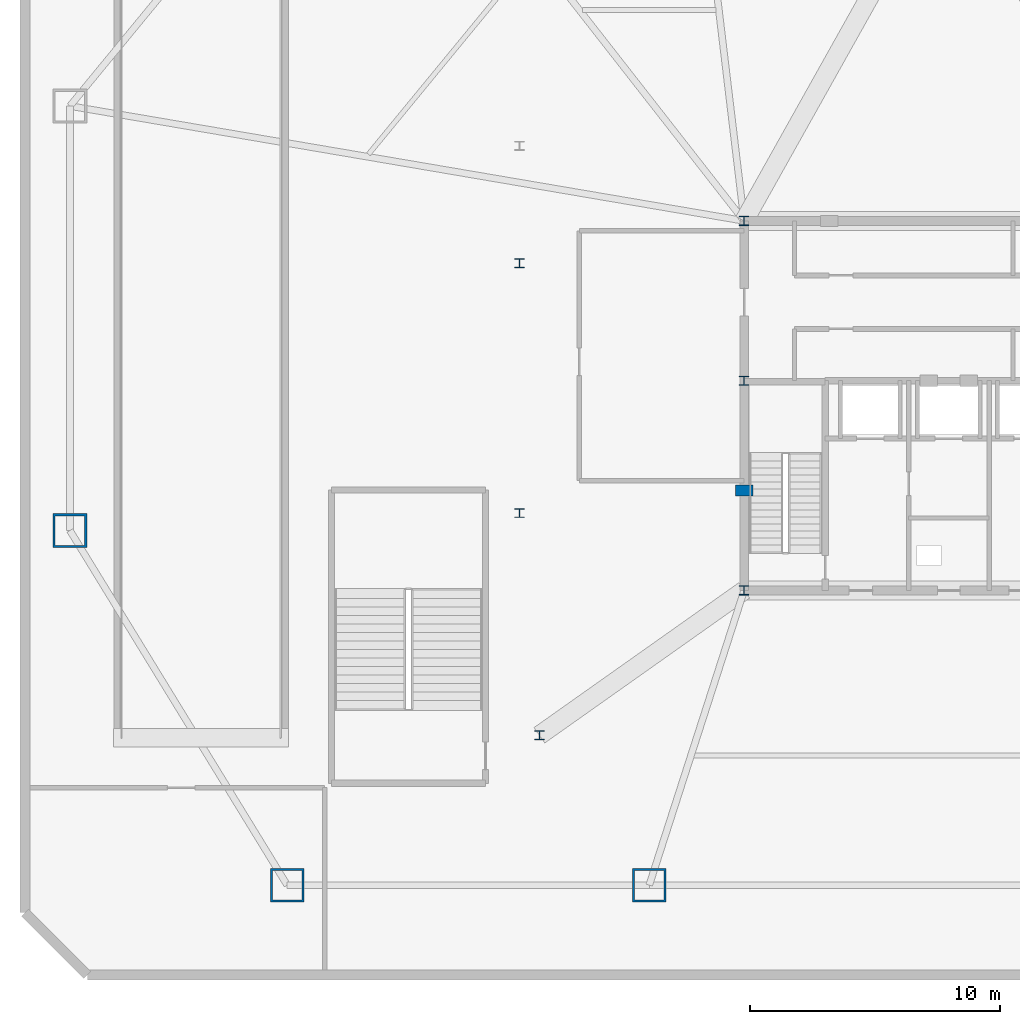
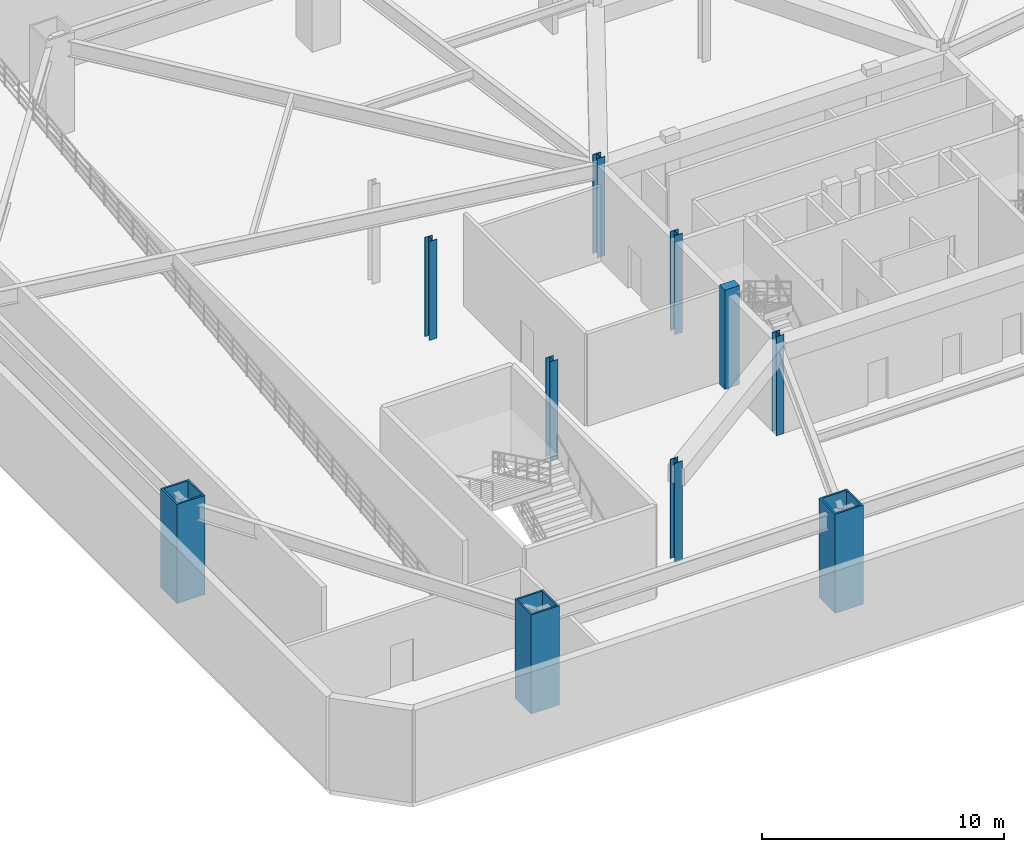
# One storey, part 1 of 9: 10 columns.
"""IFC4 building model written with IfcOpenShell, lengths in metres."""

from ifc_helpers import new_model, si_unit, direction, frame, origin, origin_2d, place, context, subcontext, project, spatial, rectangle, hollow_rectangle, i_section, extrude, material, material_profile, profile_set, type_object, element, save


model = new_model("IFC4")

# Units and contexts
model_context = context("Model", 3, precision=1e-05, world=origin(), true_north=direction((0.0, 1.0)))
body_context = subcontext(model_context, "Body", "Model", "MODEL_VIEW")
ifc_project = project(units=[si_unit("LENGTHUNIT", "METRE"), si_unit("AREAUNIT", "SQUARE_METRE"), si_unit("VOLUMEUNIT", "CUBIC_METRE"), si_unit("PLANEANGLEUNIT", "RADIAN"), si_unit("MASSUNIT", "GRAM", prefix="KILO")], contexts=[model_context])

# Site, building, storey
site_placement = place(None, origin())
site = spatial("IfcSite", under=ifc_project, at=site_placement, CompositionType="ELEMENT")
building_placement = place(site_placement, origin())
building = spatial("IfcBuilding", under=site, at=building_placement, Name="Varakhsha Concourse Tower", CompositionType="ELEMENT")
storey_placement = place(building_placement, frame((0.0, 0.0, -5.0)))
storey = spatial("IfcBuildingStorey", under=building, at=storey_placement, Name="B01", CompositionType="ELEMENT", Elevation=-5.0)

# Columns
ifc_material_1 = material(Name="Structural Steel ASTM A992 Grade 50", Category="steel")
ifc_material_profile_1 = material_profile(ifc_material_1, i_section(OverallWidth=0.3740234375, OverallDepth=0.3720703125, WebThickness=0.01611328125, FlangeThickness=0.02587890625, at=origin_2d()), Name="W14X132")
ifc_profile_set_1 = profile_set([ifc_material_profile_1], Name="Structural Steel ASTM A992 Grade 50")
column_type_1 = type_object("IfcColumnType", Name="CL-CORE-W14X132", PredefinedType="COLUMN", material=ifc_profile_set_1)
for number, where, z_axis, x_axis, name in (
    (1, (31.800048828125, 16.39990234375, 0.0), (0.0, 0.0, 1.0), (1.0, 0.0, 0.0), "B01 Core Column CC-SW"),
    (2, (31.800048828125, 24.800048828125, 0.0), (0.0, 0.0, 1.0), (1.0, 0.0, 0.0), "B01 Core Column CC-MW"),
    (3, (31.800048828125, 31.199951171875, 0.0), (0.0, 0.0, 1.0), (1.0, 0.0, 0.0), "B01 Core Column CC-NW"),
    (4, (23.60009765625, 10.60009765625, 0.0), (0.0, 0.0, 1.0), (1.0, 0.0, 0.0), "B01 Core Column SS-W"),
):
    element("IfcColumn", number, at=place(storey_placement, frame(where, z_axis=z_axis, x_axis=x_axis)), inside=storey, type_object=column_type_1, Name=name, PredefinedType="COLUMN", context=body_context, shape_type="SweptSolid", body=[
        extrude(i_section(OverallWidth=0.3740234375, OverallDepth=0.3720703125, WebThickness=0.01611328125, FlangeThickness=0.02587890625, at=origin_2d()), origin(), (0.0, 0.0, 1.0), 5.0),
    ])
ifc_material_2 = material(Name="Concrete fc 65 MPa", Category="concrete")
ifc_material_profile_2 = material_profile(ifc_material_2, rectangle(XDim=0.699951171875, YDim=0.449951171875, at=origin_2d()), Name="RC 700x450")
ifc_profile_set_2 = profile_set([ifc_material_profile_2], Name="Concrete fc 65 MPa")
column_type_2 = type_object("IfcColumnType", Name="CL-PIL-700X450", PredefinedType="PILASTER", material=ifc_profile_set_2)
column_placement = place(storey_placement, frame((31.800048828125, 20.39990234375, 0.0), z_axis=(0.0, 0.0, 1.0), x_axis=(1.0, 0.0, 0.0)))
element("IfcColumn", 5, at=column_placement, inside=storey, type_object=column_type_2, Name="B01 Core Boundary Pilaster PIL-W1", PredefinedType="PILASTER", context=body_context, shape_type="SweptSolid", body=[
    extrude(rectangle(XDim=0.699951171875, YDim=0.449951171875, at=origin_2d()), origin(), (0.0, 0.0, 1.0), 5.0),
])
ifc_material_profile_3 = material_profile(ifc_material_1, i_section(OverallWidth=0.368896484375, OverallDepth=0.35595703125, WebThickness=0.010986328125, FlangeThickness=0.01806640625, at=origin_2d()), Name="W14X90")
ifc_profile_set_3 = profile_set([ifc_material_profile_3], Name="Structural Steel ASTM A992 Grade 50")
column_type_3 = type_object("IfcColumnType", Name="CL-POD-W14X90", PredefinedType="COLUMN", material=ifc_profile_set_3)
for number, where, z_axis, x_axis, name in (
    (6, (22.800048828125, 19.5, 0.0), (0.0, 0.0, 1.0), (1.0, 0.0, 0.0), "B01 Substructure Column AUX-W1"),
    (7, (22.800048828125, 29.5, 0.0), (0.0, 0.0, 1.0), (1.0, 0.0, 0.0), "B01 Substructure Column AUX-W2"),
):
    element("IfcColumn", number, at=place(storey_placement, frame(where, z_axis=z_axis, x_axis=x_axis)), inside=storey, type_object=column_type_3, Name=name, PredefinedType="COLUMN", context=body_context, shape_type="SweptSolid", body=[
        extrude(i_section(OverallWidth=0.368896484375, OverallDepth=0.35595703125, WebThickness=0.010986328125, FlangeThickness=0.01806640625, at=origin_2d()), origin(), (0.0, 0.0, 1.0), 5.0),
    ])
ifc_material_3 = material(Name="Structural Steel ASTM A572 Grade 50", Category="steel")
ifc_material_profile_4 = material_profile(ifc_material_3, hollow_rectangle(XDim=1.35009765625, YDim=1.35009765625, WallThickness=0.0849609375, at=origin_2d()), Name="BOX 1350x1350x85")
ifc_profile_set_4 = profile_set([ifc_material_profile_4], Name="Structural Steel ASTM A572 Grade 50")
column_type_4 = type_object("IfcColumnType", Name="CL-STILT-1350", PredefinedType="COLUMN", material=ifc_profile_set_4)
for number, where, z_axis, x_axis, name in (
    (8, (13.5, 4.60009765625, 0.0), (0.0, 0.0, 1.0), (1.0, 0.0, 0.0), "B01 Podium Mega-Column PC-S1"),
    (9, (28.0, 4.60009765625, 0.0), (0.0, 0.0, 1.0), (1.0, 0.0, 0.0), "B01 Podium Mega-Column PC-S2"),
    (10, (4.800048828125, 18.800048828125, 0.0), (0.0, 0.0, 1.0), (1.0, 0.0, 0.0), "B01 Podium Mega-Column PC-W1"),
):
    element("IfcColumn", number, at=place(storey_placement, frame(where, z_axis=z_axis, x_axis=x_axis)), inside=storey, type_object=column_type_4, Name=name, PredefinedType="COLUMN", context=body_context, shape_type="SweptSolid", body=[
        extrude(hollow_rectangle(XDim=1.35009765625, YDim=1.35009765625, WallThickness=0.0849609375, at=origin_2d()), origin(), (0.0, 0.0, 1.0), 5.0),
    ])

save(model, "model.ifc")
